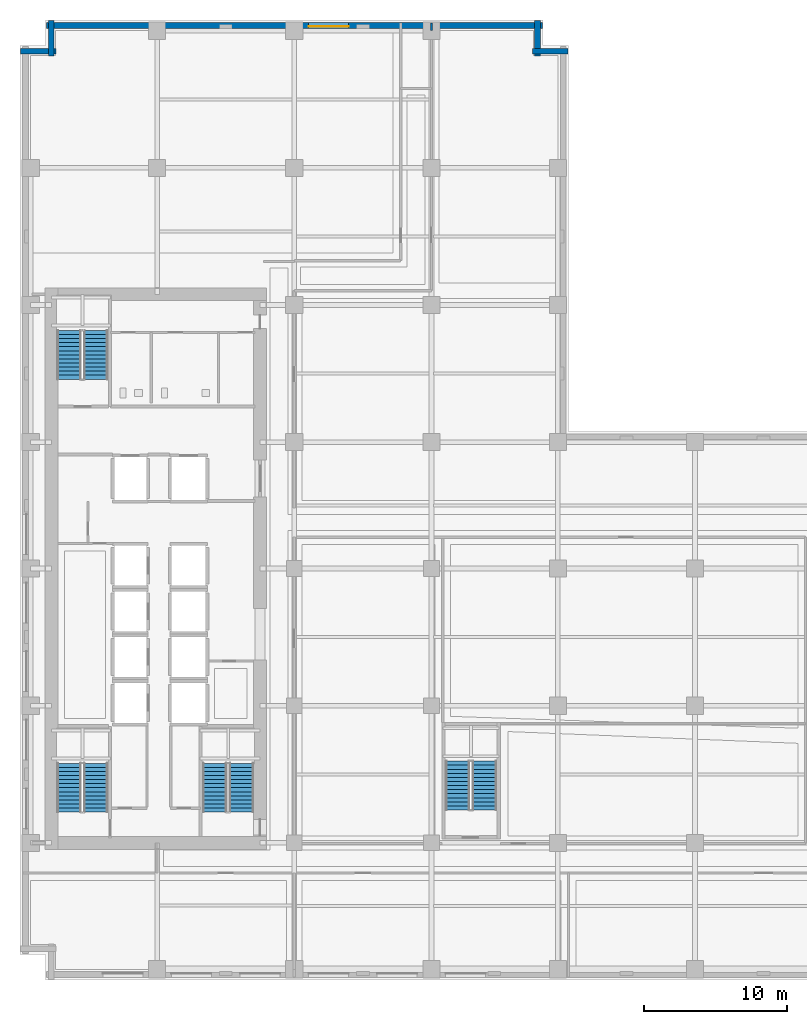
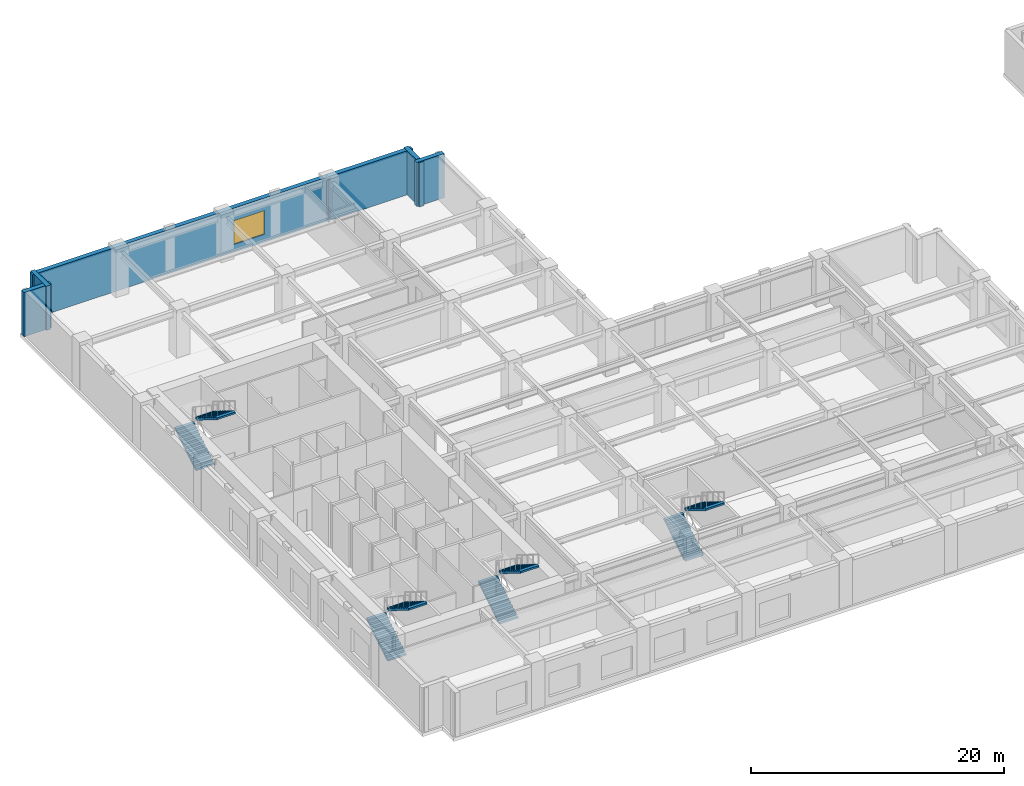
# One storey, part 12 of 24: 8 stair flights, 6 walls, 1 window, 1 opening, 4 elements without a shape of their own.
"""IFC4 building model written with IfcOpenShell, lengths in metres."""

from ifc_helpers import new_model, si_unit, direction, frame, frame_2d, origin, place, context, subcontext, project, spatial, polyline, rectangle, outline, extrude, material, layer, layer_set, type_object, element, fill, aggregate, save


model = new_model("IFC4")

# Units and contexts
model_context = context("Model", 3, precision=1e-05, world=origin(), true_north=direction((0.0, 1.0)))
body_context = subcontext(model_context, "Body", "Model", "MODEL_VIEW")
ifc_project = project(units=[si_unit("LENGTHUNIT", "METRE"), si_unit("AREAUNIT", "SQUARE_METRE"), si_unit("VOLUMEUNIT", "CUBIC_METRE"), si_unit("PLANEANGLEUNIT", "RADIAN"), si_unit("MASSUNIT", "GRAM", prefix="KILO")], contexts=[model_context])

# Site, building, storey
site_placement = place(None, origin())
site = spatial("IfcSite", under=ifc_project, at=site_placement, CompositionType="ELEMENT")
building_placement = place(site_placement, origin())
building = spatial("IfcBuilding", under=site, at=building_placement, Name="Norrvale University Quadrangle", CompositionType="ELEMENT")
storey_placement = place(building_placement, frame((0.0, 0.0, 15.0)))
storey = spatial("IfcBuildingStorey", under=building, at=storey_placement, Name="L03", CompositionType="ELEMENT", Elevation=15.0)

# Walls
ifc_material_1 = material(Name="Fire-Rated Gypsum Stud Partition")
ifc_layer_1 = layer(ifc_material_1, 0.14990234375, Name="Fire-Rated Gypsum Stud Partition")
ifc_layer_set_1 = layer_set([ifc_layer_1], Name="Fire-Rated Gypsum Stud Partition")
wall_type_1 = type_object("IfcWallType", Name="Wall Gypsum Corridor 150", PredefinedType="PARTITIONING", material=ifc_layer_set_1)
wall_1_placement = place(storey_placement, frame((28.800048828125, 66.449951171875, 0.0), z_axis=(0.0, 0.0, 1.0), x_axis=(0.0, 1.0, 0.0)))
element("IfcWall", 1, at=wall_1_placement, inside=storey, type_object=wall_type_1, Name="Interior Partition WL-L03-NECW-B2", PredefinedType="PARTITIONING", context=body_context, shape_type="SweptSolid", body=[
    extrude(rectangle(XDim=0.530029296875, YDim=0.14990234375, at=frame_2d((0.26513671875, 0.0))), origin(), (0.0, 0.0, 1.0), 4.260009765625),
])
ifc_material_2 = material(Name="Red Manganese Brick Masonry", Category="masonry")
ifc_layer_2 = layer(ifc_material_2, 0.39990234375, Name="Red Manganese Brick Masonry")
ifc_layer_set_2 = layer_set([ifc_layer_2], Name="Red Manganese Brick Masonry")
wall_type_2 = type_object("IfcWallType", Name="Wall Red Brick 400", PredefinedType="SOLIDWALL", material=ifc_layer_set_2)
wall_2_placement = place(storey_placement, frame((38.360107421875, 65.02001953125, 0.0), z_axis=(0.0, 0.0, 1.0), x_axis=(-1.0, 0.0, 0.0)))
element("IfcWall", 2, at=wall_2_placement, inside=storey, type_object=wall_type_2, Name="Exterior Brick Facade Wall L03-09.1", PredefinedType="SOLIDWALL", context=body_context, shape_type="SweptSolid", body=[
    extrude(rectangle(XDim=2.480224609375, YDim=0.39990234375, at=frame_2d((1.240234375, 0.0))), origin(), (0.0, 0.0, 1.0), 4.260009765625),
])
wall_3_placement = place(storey_placement, frame((36.219970703125, 64.679931640625, 0.0), z_axis=(0.0, 0.0, 1.0), x_axis=(0.0, 1.0, 0.0)))
element("IfcWall", 3, at=wall_3_placement, inside=storey, type_object=wall_type_2, Name="Exterior Brick Facade Wall L03-10.1", PredefinedType="SOLIDWALL", context=body_context, shape_type="SweptSolid", body=[
    extrude(rectangle(XDim=2.47998046875, YDim=0.39990234375, at=frame_2d((1.239990234375, 0.0))), origin(), (0.0, 0.0, 1.0), 4.260009765625),
])

# Wall, opening, window
wall_4_placement = place(storey_placement, frame((36.56005859375, 66.820068359375, 0.0), z_axis=(0.0, 0.0, 1.0), x_axis=(-1.0, 0.0, 0.0)))
wall_4 = element("IfcWall", 4, at=wall_4_placement, inside=storey, type_object=wall_type_2, Name="Exterior Brick Facade Wall L03-11.1", PredefinedType="SOLIDWALL", context=body_context, shape_type="SweptSolid", body=[
    extrude(rectangle(XDim=34.719970703125, YDim=0.39990234375, at=frame_2d((17.35986328125, 0.0))), origin(), (0.0, 0.0, 1.0), 4.260009765625),
])
opening_placement = place(wall_4_placement, frame((13.56005859375, 0.0, 0.75)))
opening = element("IfcOpeningElement", 5, at=opening_placement, cuts=wall_4, Name="Opening W05", PredefinedType="OPENING", context=body_context, shape_type="SweptSolid", body=[
    extrude(rectangle(XDim=2.800048828125, YDim=2.300048828125, at=frame_2d((1.39990234375, 1.14990234375))), frame((0.0, 0.2119140625, 0.0), z_axis=(0.0, -1.0, 0.0), x_axis=(1.0, 0.0, 0.0)), (0.0, 0.0, 1.0), 0.423828125),
])
ifc_material_3 = material(Name="Bird-Friendly Fritted Triple Glazing", Category="glass")
window_type = type_object("IfcWindowType", Name="Window Podium 2800x2800", PartitioningType="TRIPLE_PANEL_VERTICAL", PredefinedType="WINDOW", material=ifc_material_3)
window_placement = place(opening_placement, origin())
window = element("IfcWindow", 6, at=window_placement, inside=storey, type_object=window_type, Name="Window Podium 2800x2800 WIN-L03-E11-1-01", OverallHeight=2.300048828125, OverallWidth=2.800048828125, PartitioningType="TRIPLE_PANEL_VERTICAL", PredefinedType="WINDOW", context=body_context, shape_type="SweptSolid", body=[
    extrude(rectangle(XDim=2.800048828125, YDim=2.300048828125, at=frame_2d((1.39990234375, 1.14990234375))), frame((0.0, 0.110107421875, 0.0), z_axis=(0.0, -1.0, 0.0), x_axis=(1.0, 0.0, 0.0)), (0.0, 0.0, 1.0), 0.06005859375),
])
fill(opening, window)

# Walls
for number, where, z_axis, x_axis, name in (
    (7, (2.179931640625, 67.159912109375, 0.0), (0.0, 0.0, 1.0), (0.0, -1.0, 0.0), "Exterior Brick Facade Wall L03-12.1"),
    (8, (2.52001953125, 65.02001953125, 0.0), (0.0, 0.0, 1.0), (-1.0, 0.0, 0.0), "Exterior Brick Facade Wall L03-13.1"),
):
    element("IfcWall", number, at=place(storey_placement, frame(where, z_axis=z_axis, x_axis=x_axis)), inside=storey, type_object=wall_type_2, Name=name, PredefinedType="SOLIDWALL", context=body_context, shape_type="SweptSolid", body=[
        extrude(rectangle(XDim=2.47998046875, YDim=0.39990234375, at=frame_2d((1.239990234375, 0.0))), origin(), (0.0, 0.0, 1.0), 4.260009765625),
    ])

# Stair, stair flights
ifc_material_4 = material(Name="Concrete C40/50", Category="concrete")
stair_type = type_object("IfcStairType", Name="Stair Tower Pod 4600", PredefinedType="TWO_STRAIGHT_RUN_STAIR", material=ifc_material_4)
stair_1_placement = place(storey_placement, origin())
stair_1 = element("IfcStair", 9, at=stair_1_placement, inside=storey, type_object=stair_type, Name="Exit Stair ST-01 L03", PredefinedType="TWO_STRAIGHT_RUN_STAIR")
stair_flight_type = type_object("IfcStairFlightType", Name="Flight Typ 1500", PredefinedType="STRAIGHT", material=ifc_material_4)
stair_flight_1_placement = place(storey_placement, frame((3.429931640625, 11.75, 0.0), z_axis=(0.0, 0.0, 1.0), x_axis=(0.0, 1.0, 0.0)))
stair_flight_1 = element("IfcStairFlight", 10, at=stair_flight_1_placement, type_object=stair_flight_type, Name="Exit Stair ST-01 L03 Lower Flight", NumberOfRisers=13, NumberOfTreads=12, PredefinedType="STRAIGHT", RiserHeight=0.176923, TreadLength=0.285, context=body_context, shape_type="SweptSolid", body=[
    extrude(outline(polyline([(0.0, 0.0), (0.0, 0.177001953125), (0.284912109375, 0.177001953125), (0.284912109375, 0.353759765625), (0.570068359375, 0.353759765625), (0.570068359375, 0.53076171875), (0.85498046875, 0.53076171875), (0.85498046875, 0.707763671875), (1.139892578125, 0.707763671875), (1.139892578125, 0.884521484375), (1.425048828125, 0.884521484375), (1.425048828125, 1.0615234375), (1.7099609375, 1.0615234375), (1.7099609375, 1.238525390625), (1.9951171875, 1.238525390625), (1.9951171875, 1.415283203125), (2.280029296875, 1.415283203125), (2.280029296875, 1.59228515625), (2.56494140625, 1.59228515625), (2.56494140625, 1.769287109375), (2.85009765625, 1.769287109375), (2.85009765625, 1.946044921875), (3.135009765625, 1.946044921875), (3.135009765625, 2.123046875), (3.419921875, 2.123046875), (3.419921875, 2.300048828125), (3.419921875, 1.946533203125), (0.2841796875, 0.0), (0.0, 0.0)])), frame((0.0, 0.83984375, 0.0), z_axis=(0.0, -1.0, 0.0), x_axis=(1.0, 0.0, 0.0)), (0.0, 0.0, 1.0), 1.679931640625),
])
stair_flight_2_placement = place(storey_placement, frame((5.320068359375, 15.169921875, 2.300048828125), z_axis=(0.0, 0.0, 1.0), x_axis=(0.0, -1.0, 0.0)))
stair_flight_2 = element("IfcStairFlight", 11, at=stair_flight_2_placement, type_object=stair_flight_type, Name="Exit Stair ST-01 L03 Upper Flight", NumberOfRisers=13, NumberOfTreads=12, PredefinedType="STRAIGHT", RiserHeight=0.176923, TreadLength=0.285, context=body_context, shape_type="SweptSolid", body=[
    extrude(outline(polyline([(0.0, 0.0), (0.0, 0.177001953125), (0.284912109375, 0.177001953125), (0.284912109375, 0.353759765625), (0.570068359375, 0.353759765625), (0.570068359375, 0.53076171875), (0.85498046875, 0.53076171875), (0.85498046875, 0.707763671875), (1.139892578125, 0.707763671875), (1.139892578125, 0.884521484375), (1.425048828125, 0.884521484375), (1.425048828125, 1.0615234375), (1.7099609375, 1.0615234375), (1.7099609375, 1.238525390625), (1.9951171875, 1.238525390625), (1.9951171875, 1.415283203125), (2.280029296875, 1.415283203125), (2.280029296875, 1.59228515625), (2.56494140625, 1.59228515625), (2.56494140625, 1.769287109375), (2.85009765625, 1.769287109375), (2.85009765625, 1.946044921875), (3.135009765625, 1.946044921875), (3.135009765625, 2.123046875), (3.419921875, 2.123046875), (3.419921875, 2.300048828125), (3.419921875, 1.946533203125), (0.2841796875, 0.0), (0.0, 0.0)])), frame((0.0, 0.83984375, 0.0), z_axis=(0.0, -1.0, 0.0), x_axis=(1.0, 0.0, 0.0)), (0.0, 0.0, 1.0), 1.679931640625),
])
aggregate(stair_1, [stair_flight_1, stair_flight_2])

stair_2_placement = place(storey_placement, origin())
stair_2 = element("IfcStair", 12, at=stair_2_placement, inside=storey, type_object=stair_type, Name="Exit Stair ST-02 L03", PredefinedType="TWO_STRAIGHT_RUN_STAIR")
stair_flight_3_placement = place(storey_placement, frame((3.429931640625, 42.050048828125, 0.0), z_axis=(0.0, 0.0, 1.0), x_axis=(0.0, 1.0, 0.0)))
stair_flight_3 = element("IfcStairFlight", 13, at=stair_flight_3_placement, type_object=stair_flight_type, Name="Exit Stair ST-02 L03 Lower Flight", NumberOfRisers=13, NumberOfTreads=12, PredefinedType="STRAIGHT", RiserHeight=0.176923, TreadLength=0.285, context=body_context, shape_type="SweptSolid", body=[
    extrude(outline(polyline([(0.0, 0.0), (0.0, 0.177001953125), (0.284912109375, 0.177001953125), (0.284912109375, 0.353759765625), (0.570068359375, 0.353759765625), (0.570068359375, 0.53076171875), (0.85498046875, 0.53076171875), (0.85498046875, 0.707763671875), (1.139892578125, 0.707763671875), (1.139892578125, 0.884521484375), (1.425048828125, 0.884521484375), (1.425048828125, 1.0615234375), (1.7099609375, 1.0615234375), (1.7099609375, 1.238525390625), (1.9951171875, 1.238525390625), (1.9951171875, 1.415283203125), (2.280029296875, 1.415283203125), (2.280029296875, 1.59228515625), (2.56494140625, 1.59228515625), (2.56494140625, 1.769287109375), (2.85009765625, 1.769287109375), (2.85009765625, 1.946044921875), (3.135009765625, 1.946044921875), (3.135009765625, 2.123046875), (3.419921875, 2.123046875), (3.419921875, 2.300048828125), (3.419921875, 1.946533203125), (0.2841796875, 0.0), (0.0, 0.0)])), frame((0.0, 0.83984375, 0.0), z_axis=(0.0, -1.0, 0.0), x_axis=(1.0, 0.0, 0.0)), (0.0, 0.0, 1.0), 1.679931640625),
])
stair_flight_4_placement = place(storey_placement, frame((5.320068359375, 45.469970703125, 2.300048828125), z_axis=(0.0, 0.0, 1.0), x_axis=(0.0, -1.0, 0.0)))
stair_flight_4 = element("IfcStairFlight", 14, at=stair_flight_4_placement, type_object=stair_flight_type, Name="Exit Stair ST-02 L03 Upper Flight", NumberOfRisers=13, NumberOfTreads=12, PredefinedType="STRAIGHT", RiserHeight=0.176923, TreadLength=0.285, context=body_context, shape_type="SweptSolid", body=[
    extrude(outline(polyline([(0.0, 0.0), (0.0, 0.177001953125), (0.284912109375, 0.177001953125), (0.284912109375, 0.353759765625), (0.570068359375, 0.353759765625), (0.570068359375, 0.53076171875), (0.85498046875, 0.53076171875), (0.85498046875, 0.707763671875), (1.139892578125, 0.707763671875), (1.139892578125, 0.884521484375), (1.425048828125, 0.884521484375), (1.425048828125, 1.0615234375), (1.7099609375, 1.0615234375), (1.7099609375, 1.238525390625), (1.9951171875, 1.238525390625), (1.9951171875, 1.415283203125), (2.280029296875, 1.415283203125), (2.280029296875, 1.59228515625), (2.56494140625, 1.59228515625), (2.56494140625, 1.769287109375), (2.85009765625, 1.769287109375), (2.85009765625, 1.946044921875), (3.135009765625, 1.946044921875), (3.135009765625, 2.123046875), (3.419921875, 2.123046875), (3.419921875, 2.300048828125), (3.419921875, 1.946533203125), (0.2841796875, 0.0), (0.0, 0.0)])), frame((0.0, 0.83984375, 0.0), z_axis=(0.0, -1.0, 0.0), x_axis=(1.0, 0.0, 0.0)), (0.0, 0.0, 1.0), 1.679931640625),
])
aggregate(stair_2, [stair_flight_3, stair_flight_4])

stair_3_placement = place(storey_placement, origin())
stair_3 = element("IfcStair", 15, at=stair_3_placement, inside=storey, type_object=stair_type, Name="Exit Stair ST-03 L03", PredefinedType="TWO_STRAIGHT_RUN_STAIR")
stair_flight_5_placement = place(storey_placement, frame((13.6298828125, 11.75, 0.0), z_axis=(0.0, 0.0, 1.0), x_axis=(0.0, 1.0, 0.0)))
stair_flight_5 = element("IfcStairFlight", 16, at=stair_flight_5_placement, type_object=stair_flight_type, Name="Exit Stair ST-03 L03 Lower Flight", NumberOfRisers=13, NumberOfTreads=12, PredefinedType="STRAIGHT", RiserHeight=0.176923, TreadLength=0.285, context=body_context, shape_type="SweptSolid", body=[
    extrude(outline(polyline([(0.0, 0.0), (0.0, 0.177001953125), (0.284912109375, 0.177001953125), (0.284912109375, 0.353759765625), (0.570068359375, 0.353759765625), (0.570068359375, 0.53076171875), (0.85498046875, 0.53076171875), (0.85498046875, 0.707763671875), (1.139892578125, 0.707763671875), (1.139892578125, 0.884521484375), (1.425048828125, 0.884521484375), (1.425048828125, 1.0615234375), (1.7099609375, 1.0615234375), (1.7099609375, 1.238525390625), (1.9951171875, 1.238525390625), (1.9951171875, 1.415283203125), (2.280029296875, 1.415283203125), (2.280029296875, 1.59228515625), (2.56494140625, 1.59228515625), (2.56494140625, 1.769287109375), (2.85009765625, 1.769287109375), (2.85009765625, 1.946044921875), (3.135009765625, 1.946044921875), (3.135009765625, 2.123046875), (3.419921875, 2.123046875), (3.419921875, 2.300048828125), (3.419921875, 1.946533203125), (0.2841796875, 0.0), (0.0, 0.0)])), frame((0.0, 0.83984375, 0.0), z_axis=(0.0, -1.0, 0.0), x_axis=(1.0, 0.0, 0.0)), (0.0, 0.0, 1.0), 1.679931640625),
])
stair_flight_6_placement = place(storey_placement, frame((15.52001953125, 15.169921875, 2.300048828125), z_axis=(0.0, 0.0, 1.0), x_axis=(0.0, -1.0, 0.0)))
stair_flight_6 = element("IfcStairFlight", 17, at=stair_flight_6_placement, type_object=stair_flight_type, Name="Exit Stair ST-03 L03 Upper Flight", NumberOfRisers=13, NumberOfTreads=12, PredefinedType="STRAIGHT", RiserHeight=0.176923, TreadLength=0.285, context=body_context, shape_type="SweptSolid", body=[
    extrude(outline(polyline([(0.0, 0.0), (0.0, 0.177001953125), (0.284912109375, 0.177001953125), (0.284912109375, 0.353759765625), (0.570068359375, 0.353759765625), (0.570068359375, 0.53076171875), (0.85498046875, 0.53076171875), (0.85498046875, 0.707763671875), (1.139892578125, 0.707763671875), (1.139892578125, 0.884521484375), (1.425048828125, 0.884521484375), (1.425048828125, 1.0615234375), (1.7099609375, 1.0615234375), (1.7099609375, 1.238525390625), (1.9951171875, 1.238525390625), (1.9951171875, 1.415283203125), (2.280029296875, 1.415283203125), (2.280029296875, 1.59228515625), (2.56494140625, 1.59228515625), (2.56494140625, 1.769287109375), (2.85009765625, 1.769287109375), (2.85009765625, 1.946044921875), (3.135009765625, 1.946044921875), (3.135009765625, 2.123046875), (3.419921875, 2.123046875), (3.419921875, 2.300048828125), (3.419921875, 1.946533203125), (0.2841796875, 0.0), (0.0, 0.0)])), frame((0.0, 0.83984375, 0.0), z_axis=(0.0, -1.0, 0.0), x_axis=(1.0, 0.0, 0.0)), (0.0, 0.0, 1.0), 1.679931640625),
])
aggregate(stair_3, [stair_flight_5, stair_flight_6])

stair_4_placement = place(storey_placement, origin())
stair_4 = element("IfcStair", 18, at=stair_4_placement, inside=storey, type_object=stair_type, Name="Exit Stair ST-04 L03", PredefinedType="TWO_STRAIGHT_RUN_STAIR")
stair_flight_7_placement = place(storey_placement, frame((30.6298828125, 11.89990234375, 0.0), z_axis=(0.0, 0.0, 1.0), x_axis=(0.0, 1.0, 0.0)))
stair_flight_7 = element("IfcStairFlight", 19, at=stair_flight_7_placement, type_object=stair_flight_type, Name="Exit Stair ST-04 L03 Lower Flight", NumberOfRisers=13, NumberOfTreads=12, PredefinedType="STRAIGHT", RiserHeight=0.176923, TreadLength=0.285, context=body_context, shape_type="SweptSolid", body=[
    extrude(outline(polyline([(0.0, 0.0), (0.0, 0.177001953125), (0.284912109375, 0.177001953125), (0.284912109375, 0.353759765625), (0.570068359375, 0.353759765625), (0.570068359375, 0.53076171875), (0.85498046875, 0.53076171875), (0.85498046875, 0.707763671875), (1.139892578125, 0.707763671875), (1.139892578125, 0.884521484375), (1.425048828125, 0.884521484375), (1.425048828125, 1.0615234375), (1.7099609375, 1.0615234375), (1.7099609375, 1.238525390625), (1.9951171875, 1.238525390625), (1.9951171875, 1.415283203125), (2.280029296875, 1.415283203125), (2.280029296875, 1.59228515625), (2.56494140625, 1.59228515625), (2.56494140625, 1.769287109375), (2.85009765625, 1.769287109375), (2.85009765625, 1.946044921875), (3.135009765625, 1.946044921875), (3.135009765625, 2.123046875), (3.419921875, 2.123046875), (3.419921875, 2.300048828125), (3.419921875, 1.946533203125), (0.2841796875, 0.0), (0.0, 0.0)])), frame((0.0, 0.83984375, 0.0), z_axis=(0.0, -1.0, 0.0), x_axis=(1.0, 0.0, 0.0)), (0.0, 0.0, 1.0), 1.679931640625),
])
stair_flight_8_placement = place(storey_placement, frame((32.52001953125, 15.320068359375, 2.300048828125), z_axis=(0.0, 0.0, 1.0), x_axis=(0.0, -1.0, 0.0)))
stair_flight_8 = element("IfcStairFlight", 20, at=stair_flight_8_placement, type_object=stair_flight_type, Name="Exit Stair ST-04 L03 Upper Flight", NumberOfRisers=13, NumberOfTreads=12, PredefinedType="STRAIGHT", RiserHeight=0.176923, TreadLength=0.285, context=body_context, shape_type="SweptSolid", body=[
    extrude(outline(polyline([(0.0, 0.0), (0.0, 0.177001953125), (0.284912109375, 0.177001953125), (0.284912109375, 0.353759765625), (0.570068359375, 0.353759765625), (0.570068359375, 0.53076171875), (0.85498046875, 0.53076171875), (0.85498046875, 0.707763671875), (1.139892578125, 0.707763671875), (1.139892578125, 0.884521484375), (1.425048828125, 0.884521484375), (1.425048828125, 1.0615234375), (1.7099609375, 1.0615234375), (1.7099609375, 1.238525390625), (1.9951171875, 1.238525390625), (1.9951171875, 1.415283203125), (2.280029296875, 1.415283203125), (2.280029296875, 1.59228515625), (2.56494140625, 1.59228515625), (2.56494140625, 1.769287109375), (2.85009765625, 1.769287109375), (2.85009765625, 1.946044921875), (3.135009765625, 1.946044921875), (3.135009765625, 2.123046875), (3.419921875, 2.123046875), (3.419921875, 2.300048828125), (3.419921875, 1.946533203125), (0.2841796875, 0.0), (0.0, 0.0)])), frame((0.0, 0.83984375, 0.0), z_axis=(0.0, -1.0, 0.0), x_axis=(1.0, 0.0, 0.0)), (0.0, 0.0, 1.0), 1.679931640625),
])
aggregate(stair_4, [stair_flight_7, stair_flight_8])

save(model, "model.ifc")
